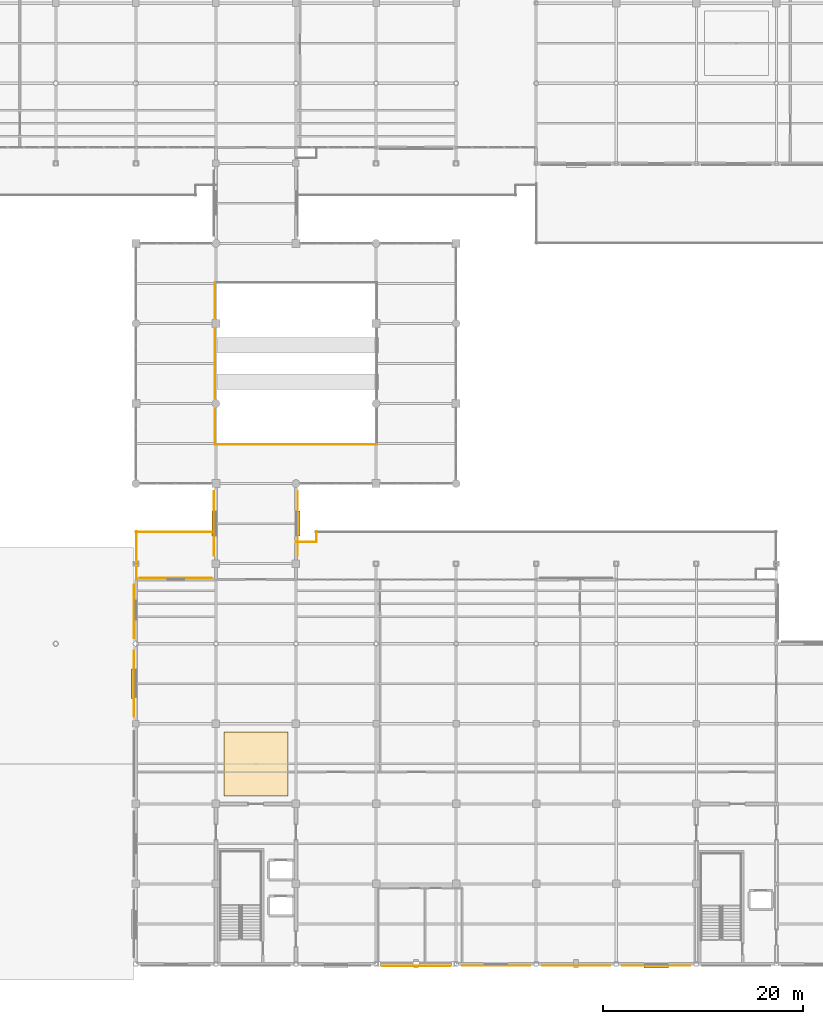
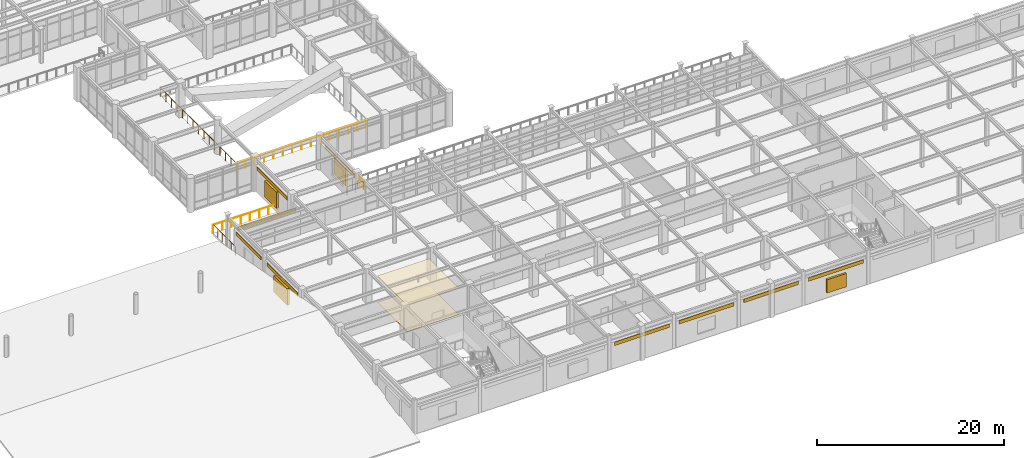
# One storey, part 101 of 111: 11 coverings, 6 railings, 4 shading devices.
"""IFC4 building model written with IfcOpenShell, lengths in metres."""

import ifcopenshell
import ifcopenshell.guid

model = None  # the IFC model being written
_history = None  # IfcOwnerHistory: only IFC2X3 demands one
_inside = {}  # id of a spatial element -> (the spatial element, [elements in it])
_under = {}  # id of a project, library or spatial element -> (it, [spatial elements below it])
_declared = {}  # id of a project -> (the project, [libraries it declares])
_typed = {}  # id of a type object -> (the type object, [elements of that type])
_made_of = {}  # id of a material, layer set ... -> (it, [elements and type objects made of it])


def new_model(schema):
    """Start an empty IFC model of exactly this schema.

    Asked for "IFC4X3", IfcOpenShell would pick the latest addendum, in which some entities
    have other attributes; the version numbers below select the first issue.
    IFC2X3 requires an IfcOwnerHistory on every rooted entity: one is made here for all.
    """
    global model, _history
    if schema == "IFC4X3":
        model = ifcopenshell.file(schema_version=(4, 3, 0, 0))
    else:
        model = ifcopenshell.file(schema=schema)
    _inside.clear()
    _under.clear()
    _declared.clear()
    _typed.clear()
    _made_of.clear()
    _history = None
    if model.schema == "IFC2X3":
        org = make("IfcOrganization", Name="unknown")
        user = make(
            "IfcPersonAndOrganization",
            ThePerson=make("IfcPerson", FamilyName="unknown"),
            TheOrganization=org,
        )
        app = make(
            "IfcApplication",
            ApplicationDeveloper=org,
            Version="unknown",
            ApplicationFullName="unknown",
            ApplicationIdentifier="unknown",
        )
        _history = make(
            "IfcOwnerHistory",
            OwningUser=user,
            OwningApplication=app,
            ChangeAction="ADDED",
            CreationDate=0,
        )
    return model


def make(cls, **values):
    """One entity of the class cls with the attributes given. An attribute that is None is left unset."""
    return model.create_entity(
        cls, **{name: value for name, value in values.items() if value is not None}
    )


def rooted(cls, **values):
    """An entity with a GlobalId (a new one), such as an element, a storey or a relation."""
    return make(cls, GlobalId=ifcopenshell.guid.new(), OwnerHistory=_history, **values)


def si_unit(unit_type, name, prefix=None):
    """IfcSIUnit, for example si_unit("LENGTHUNIT", "METRE", prefix="MILLI")."""
    return make("IfcSIUnit", UnitType=unit_type, Prefix=prefix, Name=name)


def assignment(units):
    """IfcUnitAssignment: the units of a project."""
    return None if units is None else make("IfcUnitAssignment", Units=units)


def point(xyz):
    """IfcCartesianPoint."""
    return None if xyz is None else make("IfcCartesianPoint", Coordinates=xyz)


def direction(xyz):
    """IfcDirection."""
    return None if xyz is None else make("IfcDirection", DirectionRatios=xyz)


def frame(location, z_axis=None, x_axis=None):
    """IfcAxis2Placement3D, a coordinate frame: its origin and axes. An axis left out is left unset."""
    return make(
        "IfcAxis2Placement3D",
        Location=point(location),
        Axis=direction(z_axis),
        RefDirection=direction(x_axis),
    )


def frame_2d(location, x_axis=None):
    """IfcAxis2Placement2D, a coordinate frame in the plane: its origin and x axis."""
    return make(
        "IfcAxis2Placement2D", Location=point(location), RefDirection=direction(x_axis)
    )


def origin():
    """The frame at (0, 0, 0) with its axes left unset."""
    return frame((0.0, 0.0, 0.0))


def origin_2d():
    """The frame at (0, 0) in the plane with its x axis left unset."""
    return frame_2d((0.0, 0.0))


def place(relative_to, where):
    """IfcLocalPlacement: puts the frame where relative to a parent placement (None: the world)."""
    return make(
        "IfcLocalPlacement", PlacementRelTo=relative_to, RelativePlacement=where
    )


def context(
    kind, dimensions, precision=None, world=None, true_north=None, identifier=None
):
    """IfcGeometricRepresentationContext, for example the 3D "Model" context."""
    return make(
        "IfcGeometricRepresentationContext",
        ContextIdentifier=identifier,
        ContextType=kind,
        CoordinateSpaceDimension=dimensions,
        Precision=precision,
        WorldCoordinateSystem=world,
        TrueNorth=true_north,
    )


def subcontext(parent, identifier, kind, view, scale=None):
    """IfcGeometricRepresentationSubContext, for example "Body" below "Model"."""
    return make(
        "IfcGeometricRepresentationSubContext",
        ContextIdentifier=identifier,
        ContextType=kind,
        ParentContext=parent,
        TargetScale=scale,
        TargetView=view,
    )


def project(units=None, contexts=None):
    """IfcProject with its units and contexts."""
    return rooted(
        "IfcProject",
        Name="project",
        RepresentationContexts=contexts,
        UnitsInContext=assignment(units),
    )


def spatial(cls, under=None, at=None, **own):
    """A site, building, storey or space (cls), placed at a placement, below another one or the project."""
    s = rooted(cls, ObjectPlacement=at, **own)
    if under is not None:
        _under.setdefault(under.id(), (under, []))[1].append(s)
    return s


def polyline(points):
    """IfcPolyline through the points."""
    return make("IfcPolyline", Points=[point(p) for p in points])


def profile(cls, at=None, kind="AREA", **sizes):
    """A parametric profile (cls). Its sizes go by their IFC names, for example OverallWidth=200.0."""
    return make(cls, ProfileType=kind, Position=at, **sizes)


def rectangle(**sizes):
    """IfcRectangleProfileDef."""
    return profile("IfcRectangleProfileDef", **sizes)


def circle(**sizes):
    """IfcCircleProfileDef."""
    return profile("IfcCircleProfileDef", **sizes)


def outline(outer, holes=None, kind="AREA"):
    """IfcArbitraryClosedProfileDef: a profile drawn as a closed curve; with holes, ...WithVoids."""
    if holes is None:
        return make("IfcArbitraryClosedProfileDef", ProfileType=kind, OuterCurve=outer)
    return make(
        "IfcArbitraryProfileDefWithVoids",
        ProfileType=kind,
        OuterCurve=outer,
        InnerCurves=holes,
    )


def extrude(swept, where, along, depth):
    """IfcExtrudedAreaSolid: the profile swept, set in the frame where, extruded along a direction by depth."""
    return make(
        "IfcExtrudedAreaSolid",
        SweptArea=swept,
        Position=where,
        ExtrudedDirection=direction(along),
        Depth=depth,
    )


def shape(context_of_items, identifier, shape_type, items):
    """IfcShapeRepresentation: the items that make up one representation, for example the "Body"."""
    return make(
        "IfcShapeRepresentation",
        ContextOfItems=context_of_items,
        RepresentationIdentifier=identifier,
        RepresentationType=shape_type,
        Items=items,
    )


def material(Name=None, Category=None):
    """IfcMaterial."""
    return make("IfcMaterial", Name=Name, Category=Category)


def layer(
    of_material, thickness, ventilated=None, Name=None, Category=None, Priority=None
):
    """IfcMaterialLayer: one layer of a wall or slab, of a material (None: an air gap)."""
    return make(
        "IfcMaterialLayer",
        Material=of_material,
        LayerThickness=thickness,
        IsVentilated=ventilated,
        Name=Name,
        Category=Category,
        Priority=Priority,
    )


def layer_set(layers, Name=None):
    """IfcMaterialLayerSet."""
    return make("IfcMaterialLayerSet", MaterialLayers=layers, LayerSetName=Name)


def made_of(thing, what):
    """Note that an element or type object is made of a material, layer set ...; save() writes the relation."""
    if what is not None:
        _made_of.setdefault(what.id(), (what, []))[1].append(thing)
    return thing


def type_object(cls, material=None, **own):
    """A type object (cls), such as IfcWallType, which elements share."""
    return made_of(rooted(cls, **own), material)


def element(
    cls,
    number,
    at=None,
    inside=None,
    cuts=None,
    type_object=None,
    material=None,
    context=None,
    identifier="Body",
    shape_type=None,
    held_by="IfcProductDefinitionShape",
    body=None,
    shapes=None,
    **own,
):
    """One element of the class cls, such as IfcWall. Its Tag is "e" and its number.

    at: its placement. inside: the storey or other place that contains it. cuts: it is an
    opening in that element (IfcRelVoidsElement). A single representation is given by context,
    identifier, shape_type and body (its items); several are given by shapes. held_by: the class
    of the entity that holds the representations. save() writes the other relations.
    """
    e = rooted(cls, Tag="e%d" % number, ObjectPlacement=at, **own)
    if body is not None:
        shapes = [shape(context, identifier, shape_type, body)]
    if shapes is not None:
        e.Representation = make(held_by, Representations=shapes)
    if inside is not None:
        _inside.setdefault(inside.id(), (inside, []))[1].append(e)
    if cuts is not None:
        rooted(
            "IfcRelVoidsElement", RelatingBuildingElement=cuts, RelatedOpeningElement=e
        )
    if type_object is not None:
        _typed.setdefault(type_object.id(), (type_object, []))[1].append(e)
    return made_of(e, material)


def aggregate(whole, parts):
    """IfcRelAggregates: a whole, such as a stair, and the parts it consists of."""
    return rooted("IfcRelAggregates", RelatingObject=whole, RelatedObjects=parts)


def save(model, path):
    """Write the relations noted so far, then the file.

    IfcRelAggregates (storeys below a building ...), IfcRelContainedInSpatialStructure (elements
    in a storey), IfcRelDefinesByType, IfcRelAssociatesMaterial and IfcRelDeclares: one each for
    every whole, place, type object, material and project.
    """
    for whole, parts in _under.values():
        aggregate(whole, parts)
    for where, things in _inside.values():
        rooted(
            "IfcRelContainedInSpatialStructure",
            RelatedElements=things,
            RelatingStructure=where,
        )
    for kind, things in _typed.values():
        rooted("IfcRelDefinesByType", RelatedObjects=things, RelatingType=kind)
    for what, things in _made_of.values():
        rooted("IfcRelAssociatesMaterial", RelatedObjects=things, RelatingMaterial=what)
    for by, libraries in _declared.values():
        rooted("IfcRelDeclares", RelatingContext=by, RelatedDefinitions=libraries)
    model.write(path)


model = new_model("IFC4")

# Units and contexts
model_context = context("Model", 3, precision=1e-05, world=origin(), true_north=direction((0.0, 1.0)))
body_context = subcontext(model_context, "Body", "Model", "MODEL_VIEW")
ifc_project = project(units=[si_unit("LENGTHUNIT", "METRE"), si_unit("AREAUNIT", "SQUARE_METRE"), si_unit("VOLUMEUNIT", "CUBIC_METRE"), si_unit("PLANEANGLEUNIT", "RADIAN"), si_unit("MASSUNIT", "GRAM", prefix="KILO")], contexts=[model_context])

# Site, building, storey
site_placement = place(None, origin())
site = spatial("IfcSite", under=ifc_project, at=site_placement, CompositionType="ELEMENT")
building_placement = place(site_placement, origin())
building = spatial("IfcBuilding", under=site, at=building_placement, Name="Solmirada Galleria", CompositionType="ELEMENT")
storey_placement = place(building_placement, frame((0.0, 0.0, 10.39990234375)))
storey = spatial("IfcBuildingStorey", under=building, at=storey_placement, Name="L02", CompositionType="ELEMENT", Elevation=10.39990234375)

# Coverings
ifc_material_1 = material(Name="Perforated acoustic mineral-fibre ceiling")
ifc_layer_1 = layer(ifc_material_1, 0.02490234375)
ifc_layer_set_1 = layer_set([ifc_layer_1], Name="Perforated acoustic mineral-fibre ceiling")
covering_type_1 = type_object("IfcCoveringType", Name="COV-CEIL-ACOUST", PredefinedType="CEILING", material=ifc_layer_set_1)
covering_1_placement = place(storey_placement, frame((0.0, 0.0, 3.4501953125)))
element("IfcCovering", 1, at=covering_1_placement, inside=storey, type_object=covering_type_1, Name="Acoustic ceiling panel L02-2", PredefinedType="CEILING", context=body_context, shape_type="SweptSolid", body=[
    extrude(outline(polyline([(88.800048828125, 16.800048828125), (95.199951171875, 16.800048828125), (95.199951171875, 23.199951171875), (88.800048828125, 23.199951171875), (88.800048828125, 16.800048828125)])), origin(), (0.0, 0.0, 1.0), 0.02490234375),
])
ifc_material_2 = material(Name="Limestone cladding panels", Category="masonry")
ifc_layer_2 = layer(ifc_material_2, 0.044921875)
ifc_layer_set_2 = layer_set([ifc_layer_2], Name="Limestone cladding panels")
covering_type_2 = type_object("IfcCoveringType", Name="COV-CLAD-LIME", PredefinedType="CLADDING", material=ifc_layer_set_2)
for number, where, z_axis, x_axis, name in (
    (2, (132.0, -0.177490234375, 2.990234375), (0.0, 0.0, 1.0), (-1.0, 0.0, 0.0), "Postmodern facade cladding L02-128"),
    (3, (116.0, -0.177490234375, 2.990234375), (0.0, 0.0, 1.0), (-1.0, 0.0, 0.0), "Postmodern facade cladding L02-130"),
):
    element("IfcCovering", number, at=place(storey_placement, frame(where, z_axis=z_axis, x_axis=x_axis)), inside=storey, type_object=covering_type_2, Name=name, PredefinedType="CLADDING", context=body_context, shape_type="SweptSolid", body=[
        extrude(rectangle(XDim=6.7939453125, YDim=0.044921875, at=origin_2d()), origin(), (0.0, 0.0, 1.0), 0.4599609375),
    ])
covering_2_placement = place(storey_placement, frame((79.822509765625, 28.0, 2.990234375), z_axis=(0.0, 0.0, 1.0), x_axis=(0.0, 1.0, 0.0)))
element("IfcCovering", 4, at=covering_2_placement, inside=storey, type_object=covering_type_2, Name="Postmodern facade cladding L02-138", PredefinedType="CLADDING", context=body_context, shape_type="SweptSolid", body=[
    extrude(rectangle(XDim=6.62109375, YDim=0.044921875, at=origin_2d()), origin(), (0.0, 0.0, 1.0), 0.4599609375),
])
covering_3_placement = place(storey_placement, frame((84.0, 38.577392578125, 2.990234375), z_axis=(0.0, 0.0, 1.0), x_axis=(1.0, 0.0, 0.0)))
element("IfcCovering", 5, at=covering_3_placement, inside=storey, type_object=covering_type_2, Name="Postmodern facade cladding L02-140", PredefinedType="CLADDING", context=body_context, shape_type="SweptSolid", body=[
    extrude(rectangle(XDim=7.199951171875, YDim=0.044921875, at=origin_2d()), origin(), (0.0, 0.0, 1.0), 0.4599609375),
])
covering_4_placement = place(storey_placement, frame((87.822509765625, 44.0, 2.990234375), z_axis=(0.0, 0.0, 1.0), x_axis=(0.0, 1.0, 0.0)))
element("IfcCovering", 6, at=covering_4_placement, inside=storey, type_object=covering_type_2, Name="Postmodern facade cladding L02-141", PredefinedType="CLADDING", context=body_context, shape_type="SweptSolid", body=[
    extrude(rectangle(XDim=6.425048828125, YDim=0.044921875, at=origin_2d()), origin(), (0.0, 0.0, 1.0), 0.4599609375),
])
ifc_material_3 = material(Name="Glazed terracotta facade panels", Category="masonry")
ifc_layer_3 = layer(ifc_material_3, 0.0400390625)
ifc_layer_set_3 = layer_set([ifc_layer_3], Name="Glazed terracotta facade panels")
covering_type_3 = type_object("IfcCoveringType", Name="COV-CLAD-TERRA", PredefinedType="CLADDING", material=ifc_layer_set_3)
for number, where, z_axis, x_axis, name in (
    (7, (124.0, -0.175048828125, 2.990234375), (0.0, 0.0, 1.0), (-1.0, 0.0, 0.0), "Postmodern facade cladding L02-129"),
    (8, (108.0, -0.199951171875, 2.990234375), (0.0, 0.0, 1.0), (-1.0, 0.0, 0.0), "Postmodern facade cladding L02-131"),
):
    element("IfcCovering", number, at=place(storey_placement, frame(where, z_axis=z_axis, x_axis=x_axis)), inside=storey, type_object=covering_type_3, Name=name, PredefinedType="CLADDING", context=body_context, shape_type="SweptSolid", body=[
        extrude(rectangle(XDim=6.7939453125, YDim=0.0400390625, at=origin_2d()), origin(), (0.0, 0.0, 1.0), 0.4599609375),
    ])
covering_5_placement = place(storey_placement, frame((79.824951171875, 35.199951171875, 2.990234375), z_axis=(0.0, 0.0, 1.0), x_axis=(0.0, 1.0, 0.0)))
element("IfcCovering", 9, at=covering_5_placement, inside=storey, type_object=covering_type_3, Name="Postmodern facade cladding L02-139", PredefinedType="CLADDING", context=body_context, shape_type="SweptSolid", body=[
    extrude(rectangle(XDim=5.345947265625, YDim=0.0400390625, at=origin_2d()), origin(), (0.0, 0.0, 1.0), 0.4599609375),
])
covering_6_placement = place(storey_placement, frame((96.175048828125, 44.0, 2.990234375), z_axis=(0.0, 0.0, 1.0), x_axis=(0.0, -1.0, 0.0)))
element("IfcCovering", 10, at=covering_6_placement, inside=storey, type_object=covering_type_3, Name="Postmodern facade cladding L02-171", PredefinedType="CLADDING", context=body_context, shape_type="SweptSolid", body=[
    extrude(rectangle(XDim=6.425048828125, YDim=0.0400390625, at=origin_2d()), origin(), (0.0, 0.0, 1.0), 0.4599609375),
])
ifc_material_4 = material(Name="Polished terrazzo and porcelain tile flooring")
ifc_layer_4 = layer(ifc_material_4, 0.030029296875)
ifc_layer_set_4 = layer_set([ifc_layer_4], Name="Polished terrazzo and porcelain tile flooring")
covering_type_4 = type_object("IfcCoveringType", Name="COV-FLOOR-TERRAZ", PredefinedType="FLOORING", material=ifc_layer_set_4)
covering_7_placement = place(storey_placement, origin())
element("IfcCovering", 11, at=covering_7_placement, inside=storey, type_object=covering_type_4, Name="Terrazzo floor finish L02-2", PredefinedType="FLOORING", context=body_context, shape_type="SweptSolid", body=[
    extrude(outline(polyline([(88.800048828125, 16.800048828125), (95.199951171875, 16.800048828125), (95.199951171875, 23.199951171875), (88.800048828125, 23.199951171875), (88.800048828125, 16.800048828125)])), origin(), (0.0, 0.0, 1.0), 0.030029296875),
])

# Railings
ifc_material_5 = material(Name="Tempered laminated glass and stainless-steel balustrade", Category="steel")
railing_type_1 = type_object("IfcRailingType", Name="RAIL-ATRIUM-BAL", PredefinedType="BALUSTRADE", material=ifc_material_5)
railing_1_placement = place(storey_placement, frame((87.919921875, 51.919921875, 0.0)))
element("IfcRailing", 12, at=railing_1_placement, inside=storey, type_object=railing_type_1, Name="Void balustrade ATRIUM L02-W1", PredefinedType="BALUSTRADE", context=body_context, shape_type="SweptSolid", body=[
    extrude(circle(Radius=0.02392578125, at=origin_2d()), frame((0.0, 0.0, 1.09619140625), z_axis=(0.0, 1.0, 0.0), x_axis=(-1.0, 0.0, 0.0)), (0.0, 0.0, 1.0), 16.16015625),
    extrude(circle(Radius=0.02099609375, at=origin_2d()), origin(), (0.0, 0.0, 1.0), 1.068115234375),
    extrude(circle(Radius=0.02099609375, at=origin_2d()), frame((0.0, 1.154296875, 0.0)), (0.0, 0.0, 1.0), 1.068115234375),
    extrude(circle(Radius=0.02099609375, at=origin_2d()), frame((0.0, 2.30859375, 0.0)), (0.0, 0.0, 1.0), 1.068115234375),
    extrude(circle(Radius=0.02099609375, at=origin_2d()), frame((0.0, 3.462890625, 0.0)), (0.0, 0.0, 1.0), 1.068115234375),
    extrude(circle(Radius=0.02099609375, at=origin_2d()), frame((0.0, 4.6171875, 0.0)), (0.0, 0.0, 1.0), 1.068115234375),
    extrude(circle(Radius=0.02099609375, at=origin_2d()), frame((0.0, 5.771484375, 0.0)), (0.0, 0.0, 1.0), 1.068115234375),
    extrude(circle(Radius=0.02099609375, at=origin_2d()), frame((0.0, 6.92578125, 0.0)), (0.0, 0.0, 1.0), 1.068115234375),
    extrude(circle(Radius=0.02099609375, at=origin_2d()), frame((0.0, 8.080078125, 0.0)), (0.0, 0.0, 1.0), 1.068115234375),
    extrude(circle(Radius=0.02099609375, at=origin_2d()), frame((0.0, 9.234375, 0.0)), (0.0, 0.0, 1.0), 1.068115234375),
    extrude(circle(Radius=0.02099609375, at=origin_2d()), frame((0.0, 10.388671875, 0.0)), (0.0, 0.0, 1.0), 1.068115234375),
    extrude(circle(Radius=0.02099609375, at=origin_2d()), frame((0.0, 11.54296875, 0.0)), (0.0, 0.0, 1.0), 1.068115234375),
    extrude(circle(Radius=0.02099609375, at=origin_2d()), frame((0.0, 12.697265625, 0.0)), (0.0, 0.0, 1.0), 1.068115234375),
    extrude(circle(Radius=0.02099609375, at=origin_2d()), frame((0.0, 13.8515625, 0.0)), (0.0, 0.0, 1.0), 1.068115234375),
    extrude(circle(Radius=0.02099609375, at=origin_2d()), frame((0.0, 15.005859375, 0.0)), (0.0, 0.0, 1.0), 1.068115234375),
    extrude(circle(Radius=0.02099609375, at=origin_2d()), frame((0.0, 16.16015625, 0.0)), (0.0, 0.0, 1.0), 1.068115234375),
])
railing_2_placement = place(storey_placement, frame((87.919921875, 51.919921875, 0.0)))
element("IfcRailing", 13, at=railing_2_placement, inside=storey, type_object=railing_type_1, Name="Void balustrade ATRIUM L02-S", PredefinedType="BALUSTRADE", context=body_context, shape_type="SweptSolid", body=[
    extrude(circle(Radius=0.02392578125, at=origin_2d()), frame((0.0, 0.0, 1.09619140625), z_axis=(1.0, 0.0, 0.0), x_axis=(0.0, 1.0, 0.0)), (0.0, 0.0, 1.0), 16.16015625),
    extrude(circle(Radius=0.02099609375, at=origin_2d()), origin(), (0.0, 0.0, 1.0), 1.068115234375),
    extrude(circle(Radius=0.02099609375, at=origin_2d()), frame((1.154296875, 0.0, 0.0)), (0.0, 0.0, 1.0), 1.068115234375),
    extrude(circle(Radius=0.02099609375, at=origin_2d()), frame((2.30859375, 0.0, 0.0)), (0.0, 0.0, 1.0), 1.068115234375),
    extrude(circle(Radius=0.02099609375, at=origin_2d()), frame((3.462890625, 0.0, 0.0)), (0.0, 0.0, 1.0), 1.068115234375),
    extrude(circle(Radius=0.02099609375, at=origin_2d()), frame((4.6171875, 0.0, 0.0)), (0.0, 0.0, 1.0), 1.068115234375),
    extrude(circle(Radius=0.02099609375, at=origin_2d()), frame((5.771484375, 0.0, 0.0)), (0.0, 0.0, 1.0), 1.068115234375),
    extrude(circle(Radius=0.02099609375, at=origin_2d()), frame((6.92578125, 0.0, 0.0)), (0.0, 0.0, 1.0), 1.068115234375),
    extrude(circle(Radius=0.02099609375, at=origin_2d()), frame((8.080078125, 0.0, 0.0)), (0.0, 0.0, 1.0), 1.068115234375),
    extrude(circle(Radius=0.02099609375, at=origin_2d()), frame((9.234375, 0.0, 0.0)), (0.0, 0.0, 1.0), 1.068115234375),
    extrude(circle(Radius=0.02099609375, at=origin_2d()), frame((10.388671875, 0.0, 0.0)), (0.0, 0.0, 1.0), 1.068115234375),
    extrude(circle(Radius=0.02099609375, at=origin_2d()), frame((11.54296875, 0.0, 0.0)), (0.0, 0.0, 1.0), 1.068115234375),
    extrude(circle(Radius=0.02099609375, at=origin_2d()), frame((12.697265625, 0.0, 0.0)), (0.0, 0.0, 1.0), 1.068115234375),
    extrude(circle(Radius=0.02099609375, at=origin_2d()), frame((13.8515625, 0.0, 0.0)), (0.0, 0.0, 1.0), 1.068115234375),
    extrude(circle(Radius=0.02099609375, at=origin_2d()), frame((15.005859375, 0.0, 0.0)), (0.0, 0.0, 1.0), 1.068115234375),
    extrude(circle(Radius=0.02099609375, at=origin_2d()), frame((16.16015625, 0.0, 0.0)), (0.0, 0.0, 1.0), 1.068115234375),
])
ifc_material_6 = material(Name="Painted galvanized steel balustrade", Category="steel")
railing_type_2 = type_object("IfcRailingType", Name="RAIL-TERR-1100", PredefinedType="GUARDRAIL", material=ifc_material_6)
railing_3_placement = place(storey_placement, frame((88.0, 43.14990234375, 0.0)))
element("IfcRailing", 14, at=railing_3_placement, inside=storey, type_object=railing_type_2, Name="Terrace guardrail L02-TERR-SW E3.1", PredefinedType="GUARDRAIL", context=body_context, shape_type="SweptSolid", body=[
    extrude(circle(Radius=0.02392578125, at=origin_2d()), frame((0.0, 0.0, 1.09619140625), z_axis=(-1.0, 0.0, 0.0), x_axis=(0.0, -1.0, 0.0)), (0.0, 0.0, 1.0), 8.0),
    extrude(circle(Radius=0.02099609375, at=origin_2d()), origin(), (0.0, 0.0, 1.0), 1.068115234375),
    extrude(circle(Radius=0.02099609375, at=origin_2d()), frame((-1.142822265625, 0.0, 0.0)), (0.0, 0.0, 1.0), 1.068115234375),
    extrude(circle(Radius=0.02099609375, at=origin_2d()), frame((-2.28564453125, 0.0, 0.0)), (0.0, 0.0, 1.0), 1.068115234375),
    extrude(circle(Radius=0.02099609375, at=origin_2d()), frame((-3.428466796875, 0.0, 0.0)), (0.0, 0.0, 1.0), 1.068115234375),
    extrude(circle(Radius=0.02099609375, at=origin_2d()), frame((-4.571533203125, 0.0, 0.0)), (0.0, 0.0, 1.0), 1.068115234375),
    extrude(circle(Radius=0.02099609375, at=origin_2d()), frame((-5.71435546875, 0.0, 0.0)), (0.0, 0.0, 1.0), 1.068115234375),
    extrude(circle(Radius=0.02099609375, at=origin_2d()), frame((-6.857177734375, 0.0, 0.0)), (0.0, 0.0, 1.0), 1.068115234375),
    extrude(circle(Radius=0.02099609375, at=origin_2d()), frame((-8.0, 0.0, 0.0)), (0.0, 0.0, 1.0), 1.068115234375),
])
railing_4_placement = place(storey_placement, frame((80.050048828125, 43.199951171875, 0.0)))
element("IfcRailing", 15, at=railing_4_placement, inside=storey, type_object=railing_type_2, Name="Terrace guardrail L02-TERR-SW E4.1", PredefinedType="GUARDRAIL", context=body_context, shape_type="SweptSolid", body=[
    extrude(circle(Radius=0.02392578125, at=origin_2d()), frame((0.0, 0.0, 1.09619140625), z_axis=(0.0, -1.0, 0.0), x_axis=(1.0, 0.0, 0.0)), (0.0, 0.0, 1.0), 4.800048828125),
    extrude(circle(Radius=0.02099609375, at=origin_2d()), origin(), (0.0, 0.0, 1.0), 1.068115234375),
    extrude(circle(Radius=0.02099609375, at=origin_2d()), frame((0.0, -0.9599609375, 0.0)), (0.0, 0.0, 1.0), 1.068115234375),
    extrude(circle(Radius=0.02099609375, at=origin_2d()), frame((0.0, -1.919921875, 0.0)), (0.0, 0.0, 1.0), 1.068115234375),
    extrude(circle(Radius=0.02099609375, at=origin_2d()), frame((0.0, -2.880126953125, 0.0)), (0.0, 0.0, 1.0), 1.068115234375),
    extrude(circle(Radius=0.02099609375, at=origin_2d()), frame((0.0, -3.840087890625, 0.0)), (0.0, 0.0, 1.0), 1.068115234375),
    extrude(circle(Radius=0.02099609375, at=origin_2d()), frame((0.0, -4.800048828125, 0.0)), (0.0, 0.0, 1.0), 1.068115234375),
])
railing_5_placement = place(storey_placement, frame((98.050048828125, 43.199951171875, 0.0)))
element("IfcRailing", 16, at=railing_5_placement, inside=storey, type_object=railing_type_2, Name="Terrace guardrail L02-TERR-SE E6.1", PredefinedType="GUARDRAIL", context=body_context, shape_type="SweptSolid", body=[
    extrude(circle(Radius=0.02392578125, at=origin_2d()), frame((0.0, 0.0, 1.09619140625), z_axis=(0.0, -1.0, 0.0), x_axis=(1.0, 0.0, 0.0)), (0.0, 0.0, 1.0), 1.0),
    extrude(circle(Radius=0.02099609375, at=origin_2d()), origin(), (0.0, 0.0, 1.0), 1.068115234375),
    extrude(circle(Radius=0.02099609375, at=origin_2d()), frame((0.0, -1.0, 0.0)), (0.0, 0.0, 1.0), 1.068115234375),
])
railing_6_placement = place(storey_placement, frame((98.0, 42.14990234375, 0.0)))
element("IfcRailing", 17, at=railing_6_placement, inside=storey, type_object=railing_type_2, Name="Terrace guardrail L02-TERR-SE E7.1", PredefinedType="GUARDRAIL", context=body_context, shape_type="SweptSolid", body=[
    extrude(circle(Radius=0.02392578125, at=origin_2d()), frame((0.0, 0.0, 1.09619140625), z_axis=(-1.0, 0.0, 0.0), x_axis=(0.0, -1.0, 0.0)), (0.0, 0.0, 1.0), 2.0),
    extrude(circle(Radius=0.02099609375, at=origin_2d()), origin(), (0.0, 0.0, 1.0), 1.068115234375),
    extrude(circle(Radius=0.02099609375, at=origin_2d()), frame((-1.0, 0.0, 0.0)), (0.0, 0.0, 1.0), 1.068115234375),
    extrude(circle(Radius=0.02099609375, at=origin_2d()), frame((-2.0, 0.0, 0.0)), (0.0, 0.0, 1.0), 1.068115234375),
])

# Shading devices
ifc_material_7 = material(Name="Extruded aluminium storm louvres", Category="aluminium")
shading_device_type = type_object("IfcShadingDeviceType", Name="SHD-JALOUSIE", PredefinedType="JALOUSIE", material=ifc_material_7)
shading_device_1_placement = place(storey_placement, frame((132.0, -0.284912109375, 0.800048828125), z_axis=(0.0, 0.0, 1.0), x_axis=(-1.0, 0.0, 0.0)))
element("IfcShadingDevice", 18, at=shading_device_1_placement, inside=storey, type_object=shading_device_type, Name="Hurricane storm jalousie louvre 051", PredefinedType="JALOUSIE", context=body_context, shape_type="SweptSolid", body=[
    extrude(rectangle(XDim=2.409912109375, YDim=0.260009765625, at=origin_2d()), origin(), (0.0, 0.0, 1.0), 1.75),
])
shading_device_2_placement = place(storey_placement, frame((79.715087890625, 28.0, 0.800048828125), z_axis=(0.0, 0.0, 1.0), x_axis=(0.0, 1.0, 0.0)))
element("IfcShadingDevice", 19, at=shading_device_2_placement, inside=storey, type_object=shading_device_type, Name="Hurricane storm jalousie louvre 054", PredefinedType="JALOUSIE", context=body_context, shape_type="SweptSolid", body=[
    extrude(rectangle(XDim=2.909912109375, YDim=0.260009765625, at=origin_2d()), origin(), (0.0, 0.0, 1.0), 2.14990234375),
])
for number, where, z_axis, x_axis, name in (
    (20, (87.715087890625, 44.0, 0.800048828125), (0.0, 0.0, 1.0), (0.0, 1.0, 0.0), "Hurricane storm jalousie louvre 055"),
    (21, (96.284912109375, 44.0, 0.800048828125), (0.0, 0.0, 1.0), (0.0, -1.0, 0.0), "Hurricane storm jalousie louvre 061"),
):
    element("IfcShadingDevice", number, at=place(storey_placement, frame(where, z_axis=z_axis, x_axis=x_axis)), inside=storey, type_object=shading_device_type, Name=name, PredefinedType="JALOUSIE", context=body_context, shape_type="SweptSolid", body=[
        extrude(rectangle(XDim=2.510009765625, YDim=0.260009765625, at=origin_2d()), origin(), (0.0, 0.0, 1.0), 2.14990234375),
    ])

save(model, "model.ifc")
